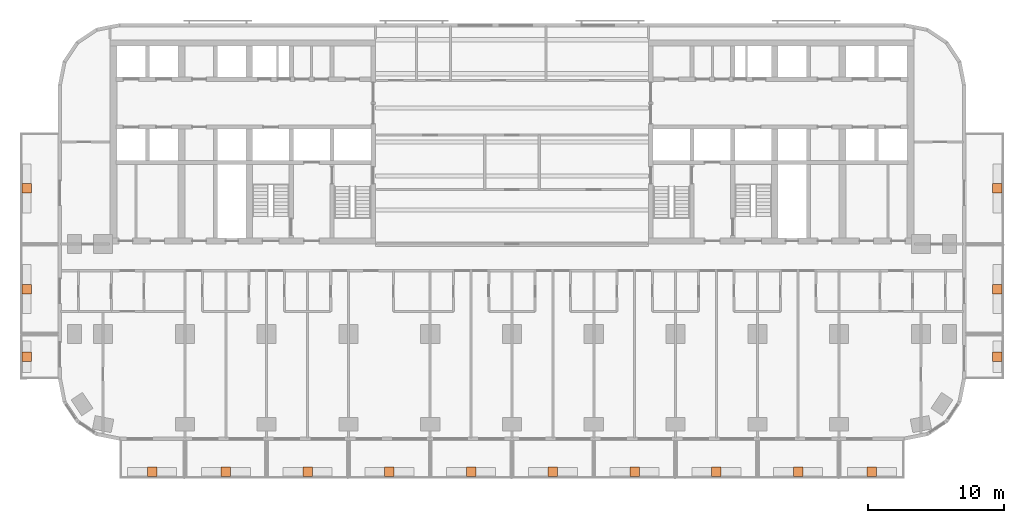
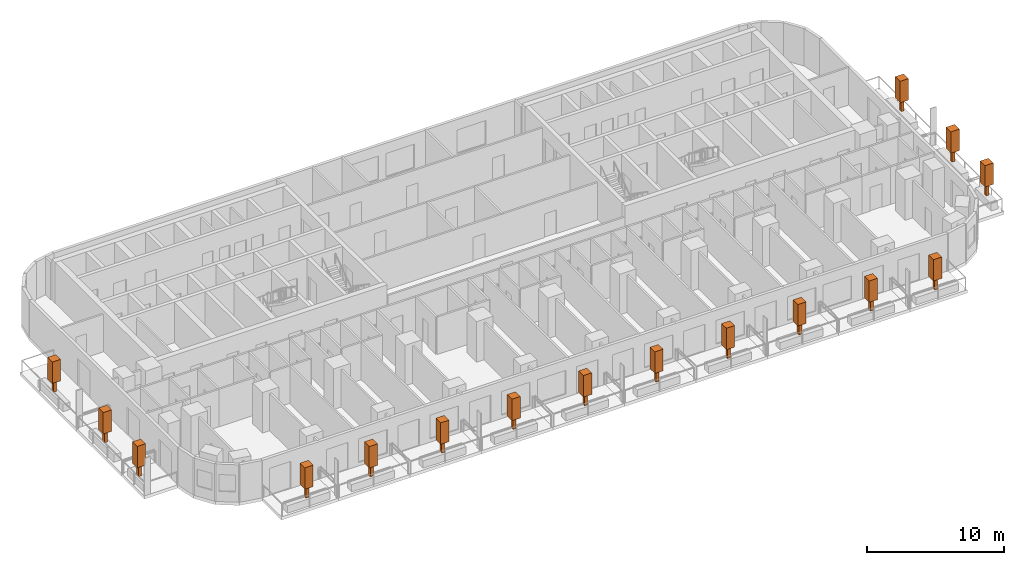
# One storey, part 15 of 15: 16 geographic elements.
"""IFC4 building model written with IfcOpenShell, lengths in metres."""

from ifc_helpers import new_model, si_unit, direction, frame, origin, origin_2d, place, context, subcontext, project, spatial, rectangle, extrude, material, element, save


model = new_model("IFC4")

# Units and contexts
model_context = context("Model", 3, precision=1e-05, world=origin(), true_north=direction((0.0, 1.0)))
body_context = subcontext(model_context, "Body", "Model", "MODEL_VIEW")
ifc_project = project(units=[si_unit("LENGTHUNIT", "METRE"), si_unit("AREAUNIT", "SQUARE_METRE"), si_unit("VOLUMEUNIT", "CUBIC_METRE"), si_unit("PLANEANGLEUNIT", "RADIAN"), si_unit("MASSUNIT", "GRAM", prefix="KILO")], contexts=[model_context])

# Site, building, storey
site_placement = place(None, origin())
site = spatial("IfcSite", under=ifc_project, at=site_placement, CompositionType="ELEMENT")
building_placement = place(site_placement, origin())
building = spatial("IfcBuilding", under=site, at=building_placement, Name="Torana Hotel and Residences", CompositionType="ELEMENT")
storey_placement = place(building_placement, frame((0.0, 0.0, 31.199951171875)))
storey = spatial("IfcBuildingStorey", under=building, at=storey_placement, Name="L06", CompositionType="ELEMENT", Elevation=31.199951171875)

# Geographic elements
ifc_material = material(Name="Foliage", Category="planting")
for number, where, z_axis, x_axis, name in (
    (1, (-26.39990234375, -31.699951171875, 0.650146484375), (0.0, 0.0, 1.0), (1.0, 0.0, 0.0), "Tree 01"),
    (2, (-21.0, -31.699951171875, 0.650146484375), (0.0, 0.0, 1.0), (1.0, 0.0, 0.0), "Tree 02"),
    (3, (-15.0, -31.699951171875, 0.650146484375), (0.0, 0.0, 1.0), (1.0, 0.0, 0.0), "Tree 03"),
    (4, (-9.0, -31.699951171875, 0.650146484375), (0.0, 0.0, 1.0), (1.0, 0.0, 0.0), "Tree 04"),
    (5, (-3.0, -31.699951171875, 0.650146484375), (0.0, 0.0, 1.0), (1.0, 0.0, 0.0), "Tree 05"),
    (6, (3.0, -31.699951171875, 0.650146484375), (0.0, 0.0, 1.0), (1.0, 0.0, 0.0), "Tree 06"),
    (7, (9.0, -31.699951171875, 0.650146484375), (0.0, 0.0, 1.0), (1.0, 0.0, 0.0), "Tree 07"),
    (8, (15.0, -31.699951171875, 0.650146484375), (0.0, 0.0, 1.0), (1.0, 0.0, 0.0), "Tree 08"),
    (9, (21.0, -31.699951171875, 0.650146484375), (0.0, 0.0, 1.0), (1.0, 0.0, 0.0), "Tree 09"),
    (10, (26.39990234375, -31.699951171875, 0.650146484375), (0.0, 0.0, 1.0), (1.0, 0.0, 0.0), "Tree 10"),
    (11, (-35.60009765625, -23.25, 0.650146484375), (0.0, 0.0, 1.0), (1.0, 0.0, 0.0), "Tree 11"),
    (12, (-35.60009765625, -18.300048828125, 0.650146484375), (0.0, 0.0, 1.0), (1.0, 0.0, 0.0), "Tree 12"),
    (13, (-35.60009765625, -10.89990234375, 0.650146484375), (0.0, 0.0, 1.0), (1.0, 0.0, 0.0), "Tree 13"),
    (14, (35.60009765625, -23.25, 0.650146484375), (0.0, 0.0, 1.0), (1.0, 0.0, 0.0), "Tree 14"),
    (15, (35.60009765625, -18.300048828125, 0.650146484375), (0.0, 0.0, 1.0), (1.0, 0.0, 0.0), "Tree 15"),
    (16, (35.60009765625, -10.89990234375, 0.650146484375), (0.0, 0.0, 1.0), (1.0, 0.0, 0.0), "Tree 16"),
):
    element("IfcGeographicElement", number, at=place(storey_placement, frame(where, z_axis=z_axis, x_axis=x_axis)), inside=storey, material=ifc_material, Name=name, ObjectType="TREE", PredefinedType="USERDEFINED", context=body_context, shape_type="SweptSolid", body=[
        extrude(rectangle(XDim=0.25, YDim=0.25, at=origin_2d()), origin(), (0.0, 0.0, 1.0), 1.0),
        extrude(rectangle(XDim=0.699951171875, YDim=0.699951171875, at=origin_2d()), frame((0.0, 0.0, 1.0)), (0.0, 0.0, 1.0), 1.89990234375),
    ])

save(model, "model.ifc")
